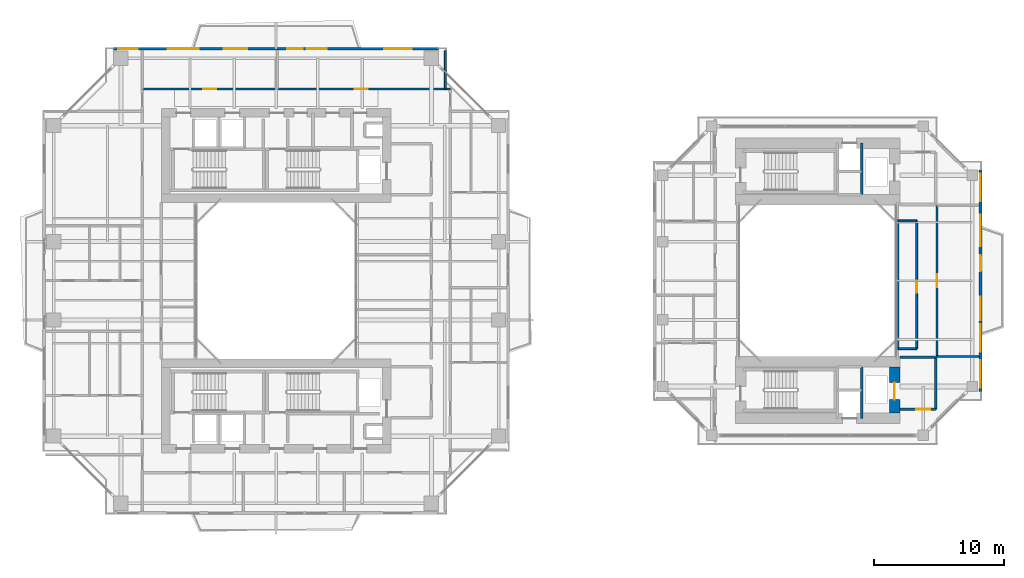
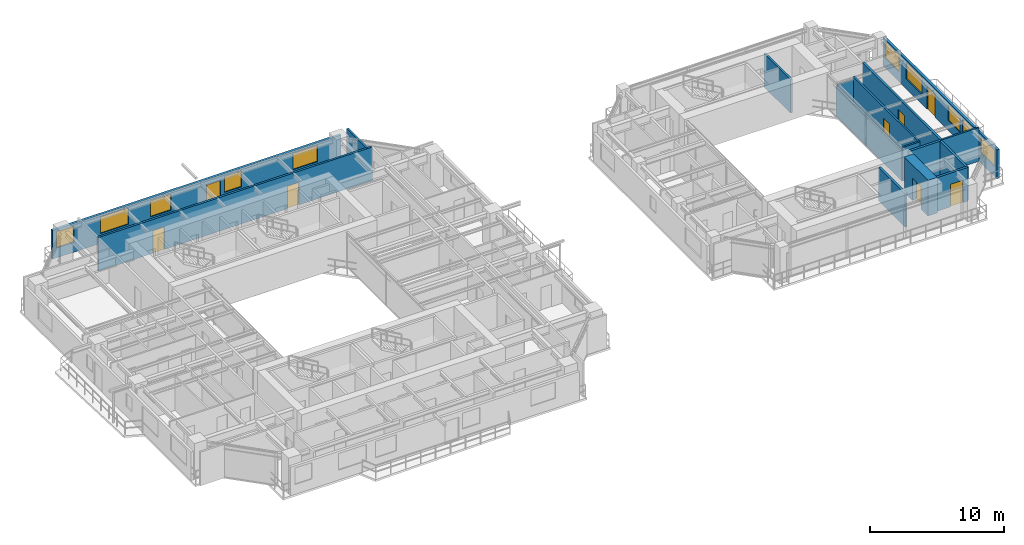
# One storey, part 19 of 24: 16 walls, 10 windows, 8 doors, 18 openings.
"""IFC4 building model written with IfcOpenShell, lengths in metres."""

from ifc_helpers import new_model, si_unit, direction, frame, frame_2d, origin, place, context, subcontext, project, spatial, rectangle, extrude, source, transform, mapped, material, layer, layer_set, type_object, element, fill, save


model = new_model("IFC4")

# Units and contexts
model_context = context("Model", 3, precision=1e-05, world=origin(), true_north=direction((0.0, 1.0)))
body_context = subcontext(model_context, "Body", "Model", "MODEL_VIEW")
ifc_project = project(units=[si_unit("LENGTHUNIT", "METRE"), si_unit("AREAUNIT", "SQUARE_METRE"), si_unit("VOLUMEUNIT", "CUBIC_METRE"), si_unit("PLANEANGLEUNIT", "RADIAN"), si_unit("MASSUNIT", "GRAM", prefix="KILO"), si_unit("THERMODYNAMICTEMPERATUREUNIT", "KELVIN"), si_unit("POWERUNIT", "WATT")], contexts=[model_context])

# Site, building, storey
site_placement = place(None, origin())
site = spatial("IfcSite", under=ifc_project, at=site_placement, CompositionType="ELEMENT")
building_placement = place(site_placement, origin())
building = spatial("IfcBuilding", under=site, at=building_placement, Name="Qiaomeng Ring Towers", CompositionType="ELEMENT")
storey_placement = place(building_placement, frame((0.0, 0.0, 106.75)))
storey = spatial("IfcBuildingStorey", under=building, at=storey_placement, Name="L30", CompositionType="ELEMENT", Elevation=106.75)

# Wall, openings, windows, door
ifc_material_1 = material(Name="Precast concrete C40", Category="concrete")
ifc_layer_1 = layer(ifc_material_1, 0.219970703125, Name="Precast concrete C40")
ifc_layer_set_1 = layer_set([ifc_layer_1], Name="Precast concrete C40")
wall_type_1 = type_object("IfcWallType", Name="ARC-WL-EW2", PredefinedType="STANDARD", material=ifc_layer_set_1)
wall_1_placement = place(storey_placement, frame((6.550048828125, 40.7900390625, 0.0), z_axis=(0.0, 0.0, 1.0), x_axis=(1.0, 0.0, 0.0)))
wall_1 = element("IfcWall", 1, at=wall_1_placement, inside=storey, type_object=wall_type_1, Name="L30 Tower 1 N Exterior Wall", PredefinedType="STANDARD", context=body_context, shape_type="SweptSolid", body=[
    extrude(rectangle(XDim=24.89990234375, YDim=0.219970703125, at=frame_2d((12.449951171875, 0.0))), origin(), (0.0, 0.0, 1.0), 2.610107421875),
])
opening_1_placement = place(wall_1_placement, frame((13.300048828125, 0.0, 0.0)))
opening_1 = element("IfcOpeningElement", 2, at=opening_1_placement, cuts=wall_1, Name="Opening BD1", PredefinedType="OPENING", context=body_context, shape_type="SweptSolid", body=[
    extrude(rectangle(XDim=1.199951171875, YDim=2.10009765625, at=frame_2d((0.60009765625, 1.050048828125))), frame((0.0, 0.119873046875, 0.0), z_axis=(0.0, -1.0, 0.0), x_axis=(1.0, 0.0, 0.0)), (0.0, 0.0, 1.0), 0.239990234375),
])
opening_2_placement = place(wall_1_placement, frame((0.357421875, 0.0, 0.89990234375)))
opening_2 = element("IfcOpeningElement", 3, at=opening_2_placement, cuts=wall_1, Name="Opening WN2", PredefinedType="OPENING", context=body_context, shape_type="SweptSolid", body=[
    extrude(rectangle(XDim=1.5, YDim=1.5, at=frame_2d((0.75, 0.75))), frame((0.0, 0.119873046875, 0.0), z_axis=(0.0, -1.0, 0.0), x_axis=(1.0, 0.0, 0.0)), (0.0, 0.0, 1.0), 0.239990234375),
])
opening_3_placement = place(wall_1_placement, frame((8.43798828125, 0.0, 0.89990234375)))
opening_3 = element("IfcOpeningElement", 4, at=opening_3_placement, cuts=wall_1, Name="Opening WN1", PredefinedType="OPENING", context=body_context, shape_type="SweptSolid", body=[
    extrude(rectangle(XDim=1.800048828125, YDim=1.449951171875, at=frame_2d((0.89990234375, 0.72509765625))), frame((0.0, 0.119873046875, 0.0), z_axis=(0.0, -1.0, 0.0), x_axis=(1.0, 0.0, 0.0)), (0.0, 0.0, 1.0), 0.239990234375),
])
opening_4_placement = place(wall_1_placement, frame((14.81298828125, 0.0, 0.89990234375)))
opening_4 = element("IfcOpeningElement", 5, at=opening_4_placement, cuts=wall_1, Name="Opening WN2", PredefinedType="OPENING", context=body_context, shape_type="SweptSolid", body=[
    extrude(rectangle(XDim=1.5, YDim=1.449951171875, at=frame_2d((0.75, 0.72509765625))), frame((0.0, 0.119873046875, 0.0), z_axis=(0.0, -1.0, 0.0), x_axis=(1.0, 0.0, 0.0)), (0.0, 0.0, 1.0), 0.239990234375),
])
opening_5_placement = place(wall_1_placement, frame((20.738037109375, 0.0, 0.89990234375)))
opening_5 = element("IfcOpeningElement", 6, at=opening_5_placement, cuts=wall_1, Name="Opening WN4", PredefinedType="OPENING", context=body_context, shape_type="SweptSolid", body=[
    extrude(rectangle(XDim=2.10009765625, YDim=1.47998046875, at=frame_2d((1.050048828125, 0.739990234375))), frame((0.0, 0.119873046875, 0.0), z_axis=(0.0, -1.0, 0.0), x_axis=(1.0, 0.0, 0.0)), (0.0, 0.0, 1.0), 0.239990234375),
])
opening_6_placement = place(wall_1_placement, frame((4.136474609375, 0.0, 0.89990234375)))
opening_6 = element("IfcOpeningElement", 7, at=opening_6_placement, cuts=wall_1, Name="Opening WN6", PredefinedType="OPENING", context=body_context, shape_type="SweptSolid", body=[
    extrude(rectangle(XDim=2.39990234375, YDim=1.5, at=frame_2d((1.199951171875, 0.75))), frame((0.0, 0.119873046875, 0.0), z_axis=(0.0, -1.0, 0.0), x_axis=(1.0, 0.0, 0.0)), (0.0, 0.0, 1.0), 0.239990234375),
])
ifc_material_2 = material(Name="Low-E dark-grey laminated double glazing", Category="glass")
window_type_1 = type_object("IfcWindowType", Name="ARC-WN-2", PartitioningType="DOUBLE_PANEL_VERTICAL", PredefinedType="WINDOW", material=ifc_material_2)
shared_shape_1 = source(origin(), body_context, "Body", "SweptSolid", [
    extrude(rectangle(XDim=1.5, YDim=1.449951171875, at=frame_2d((0.75, 0.72509765625))), frame((0.0, 0.030029296875, 0.0), z_axis=(0.0, -1.0, 0.0), x_axis=(1.0, 0.0, 0.0)), (0.0, 0.0, 1.0), 0.06005859375),
])
window_1_placement = place(opening_4_placement, origin())
window_1 = element("IfcWindow", 8, at=window_1_placement, inside=storey, type_object=window_type_1, Name="L30 Exterior Window WN2", OverallHeight=1.449951171875, OverallWidth=1.5, PartitioningType="DOUBLE_PANEL_VERTICAL", PredefinedType="WINDOW", context=body_context, shape_type="MappedRepresentation", body=[
    mapped(shared_shape_1, transform((0.0, 0.0, 0.0), x_axis=(1.0, 0.0, 0.0), y_axis=(0.0, 1.0, 0.0), z_axis=(0.0, 0.0, 1.0), scale=1.0)),
])
fill(opening_4, window_1)
window_type_2 = type_object("IfcWindowType", Name="ARC-WN-4", PartitioningType="TRIPLE_PANEL_VERTICAL", PredefinedType="WINDOW", material=ifc_material_2)
shared_shape_2 = source(origin(), body_context, "Body", "SweptSolid", [
    extrude(rectangle(XDim=2.10009765625, YDim=1.47998046875, at=frame_2d((1.050048828125, 0.739990234375))), frame((0.0, 0.030029296875, 0.0), z_axis=(0.0, -1.0, 0.0), x_axis=(1.0, 0.0, 0.0)), (0.0, 0.0, 1.0), 0.06005859375),
])
window_2_placement = place(opening_5_placement, origin())
window_2 = element("IfcWindow", 9, at=window_2_placement, inside=storey, type_object=window_type_2, Name="L30 Exterior Window WN4", OverallHeight=1.47998046875, OverallWidth=2.10009765625, PartitioningType="TRIPLE_PANEL_VERTICAL", PredefinedType="WINDOW", context=body_context, shape_type="MappedRepresentation", body=[
    mapped(shared_shape_2, transform((0.0, 0.0, 0.0), x_axis=(1.0, 0.0, 0.0), y_axis=(0.0, 1.0, 0.0), z_axis=(0.0, 0.0, 1.0), scale=1.0)),
])
fill(opening_5, window_2)
window_type_3 = type_object("IfcWindowType", Name="ARC-WN-1", PartitioningType="DOUBLE_PANEL_VERTICAL", PredefinedType="WINDOW", material=ifc_material_2)
shared_shape_3 = source(origin(), body_context, "Body", "SweptSolid", [
    extrude(rectangle(XDim=1.800048828125, YDim=1.449951171875, at=frame_2d((0.89990234375, 0.72509765625))), frame((0.0, 0.030029296875, 0.0), z_axis=(0.0, -1.0, 0.0), x_axis=(1.0, 0.0, 0.0)), (0.0, 0.0, 1.0), 0.06005859375),
])
window_3_placement = place(opening_3_placement, origin())
window_3 = element("IfcWindow", 10, at=window_3_placement, inside=storey, type_object=window_type_3, Name="L30 Exterior Window WN1", OverallHeight=1.449951171875, OverallWidth=1.800048828125, PartitioningType="DOUBLE_PANEL_VERTICAL", PredefinedType="WINDOW", context=body_context, shape_type="MappedRepresentation", body=[
    mapped(shared_shape_3, transform((0.0, 0.0, 0.0), x_axis=(1.0, 0.0, 0.0), y_axis=(0.0, 1.0, 0.0), z_axis=(0.0, 0.0, 1.0), scale=1.0)),
])
fill(opening_3, window_3)
door_type_1 = type_object("IfcDoorType", Name="ARC-DR-BD1", OperationType="NOTDEFINED", PredefinedType="DOOR", material=ifc_material_2)
shared_shape_4 = source(origin(), body_context, "Body", "SweptSolid", [
    extrude(rectangle(XDim=1.199951171875, YDim=2.10009765625, at=frame_2d((0.60009765625, 1.050048828125))), frame((0.0, 0.02490234375, 0.0), z_axis=(0.0, -1.0, 0.0), x_axis=(1.0, 0.0, 0.0)), (0.0, 0.0, 1.0), 0.050048828125),
])
door_1_placement = place(opening_1_placement, origin())
door_1 = element("IfcDoor", 11, at=door_1_placement, inside=storey, type_object=door_type_1, Name="L30 N Balcony Glazed Door", OperationType="SINGLE_SWING_LEFT", OverallHeight=2.10009765625, OverallWidth=1.199951171875, PredefinedType="DOOR", context=body_context, shape_type="MappedRepresentation", body=[
    mapped(shared_shape_4, transform((0.0, 0.0, 0.0), x_axis=(1.0, 0.0, 0.0), y_axis=(0.0, 1.0, 0.0), z_axis=(0.0, 0.0, 1.0), scale=1.0)),
])
fill(opening_1, door_1)
shared_shape_5 = source(origin(), body_context, "Body", "SweptSolid", [
    extrude(rectangle(XDim=1.5, YDim=1.5, at=frame_2d((0.75, 0.75))), frame((0.0, 0.030029296875, 0.0), z_axis=(0.0, -1.0, 0.0), x_axis=(1.0, 0.0, 0.0)), (0.0, 0.0, 1.0), 0.06005859375),
])
window_4_placement = place(opening_2_placement, origin())
window_4 = element("IfcWindow", 12, at=window_4_placement, inside=storey, type_object=window_type_1, Name="L30 Exterior Window WN6", OverallHeight=1.5, OverallWidth=1.5, PartitioningType="TRIPLE_PANEL_VERTICAL", PredefinedType="WINDOW", context=body_context, shape_type="MappedRepresentation", body=[
    mapped(shared_shape_5, transform((0.0, 0.0, 0.0), x_axis=(1.0, 0.0, 0.0), y_axis=(0.0, 1.0, 0.0), z_axis=(0.0, 0.0, 1.0), scale=1.0)),
])
fill(opening_2, window_4)
window_type_4 = type_object("IfcWindowType", Name="ARC-WN-6", PartitioningType="TRIPLE_PANEL_VERTICAL", PredefinedType="WINDOW", material=ifc_material_2)
shared_shape_6 = source(origin(), body_context, "Body", "SweptSolid", [
    extrude(rectangle(XDim=2.39990234375, YDim=1.5, at=frame_2d((1.199951171875, 0.75))), frame((0.0, 0.030029296875, 0.0), z_axis=(0.0, -1.0, 0.0), x_axis=(1.0, 0.0, 0.0)), (0.0, 0.0, 1.0), 0.06005859375),
])
window_5_placement = place(opening_6_placement, origin())
window_5 = element("IfcWindow", 13, at=window_5_placement, inside=storey, type_object=window_type_4, Name="L30 Exterior Window WN6", OverallHeight=1.5, OverallWidth=2.39990234375, PartitioningType="TRIPLE_PANEL_VERTICAL", PredefinedType="WINDOW", context=body_context, shape_type="MappedRepresentation", body=[
    mapped(shared_shape_6, transform((0.0, 0.0, 0.0), x_axis=(1.0, 0.0, 0.0), y_axis=(0.0, 1.0, 0.0), z_axis=(0.0, 0.0, 1.0), scale=1.0)),
])
fill(opening_6, window_5)

wall_2_placement = place(storey_placement, frame((72.989990234375, 14.5, 0.0), z_axis=(0.0, 0.0, 1.0), x_axis=(0.0, 1.0, 0.0)))
wall_2 = element("IfcWall", 14, at=wall_2_placement, inside=storey, type_object=wall_type_1, Name="L30 Companion East Wall", PredefinedType="STANDARD", context=body_context, shape_type="SweptSolid", body=[
    extrude(rectangle(XDim=17.0, YDim=0.219970703125, at=frame_2d((8.5, 0.0))), origin(), (0.0, 0.0, 1.0), 2.610107421875),
])
opening_7_placement = place(wall_2_placement, frame((9.25, 0.0, 0.0)))
opening_7 = element("IfcOpeningElement", 15, at=opening_7_placement, cuts=wall_2, Name="Opening BD1", PredefinedType="OPENING", context=body_context, shape_type="SweptSolid", body=[
    extrude(rectangle(XDim=1.199951171875, YDim=2.10009765625, at=frame_2d((0.60009765625, 1.050048828125))), frame((0.0, 0.119873046875, 0.0), z_axis=(0.0, -1.0, 0.0), x_axis=(1.0, 0.0, 0.0)), (0.0, 0.0, 1.0), 0.239990234375),
])
opening_8_placement = place(wall_2_placement, frame((0.3076171875, 0.0, 0.89990234375)))
opening_8 = element("IfcOpeningElement", 16, at=opening_8_placement, cuts=wall_2, Name="Opening WN4", PredefinedType="OPENING", context=body_context, shape_type="SweptSolid", body=[
    extrude(rectangle(XDim=2.10009765625, YDim=1.5, at=frame_2d((1.050048828125, 0.75))), frame((0.0, 0.119873046875, 0.0), z_axis=(0.0, -1.0, 0.0), x_axis=(1.0, 0.0, 0.0)), (0.0, 0.0, 1.0), 0.239990234375),
])
opening_9_placement = place(wall_2_placement, frame((5.47509765625, 0.0, 0.89990234375)))
opening_9 = element("IfcOpeningElement", 17, at=opening_9_placement, cuts=wall_2, Name="Opening WN1", PredefinedType="OPENING", context=body_context, shape_type="SweptSolid", body=[
    extrude(rectangle(XDim=1.800048828125, YDim=1.449951171875, at=frame_2d((0.89990234375, 0.72509765625))), frame((0.0, 0.119873046875, 0.0), z_axis=(0.0, -1.0, 0.0), x_axis=(1.0, 0.0, 0.0)), (0.0, 0.0, 1.0), 0.239990234375),
])
opening_10_placement = place(wall_2_placement, frame((14.592529296875, 0.0, 0.89990234375)))
opening_10 = element("IfcOpeningElement", 18, at=opening_10_placement, cuts=wall_2, Name="Opening WN4", PredefinedType="OPENING", context=body_context, shape_type="SweptSolid", body=[
    extrude(rectangle(XDim=2.10009765625, YDim=1.5, at=frame_2d((1.050048828125, 0.75))), frame((0.0, 0.119873046875, 0.0), z_axis=(0.0, -1.0, 0.0), x_axis=(1.0, 0.0, 0.0)), (0.0, 0.0, 1.0), 0.239990234375),
])
opening_11_placement = place(wall_2_placement, frame((3.054931640625, 0.0, 0.89990234375)))
opening_11 = element("IfcOpeningElement", 19, at=opening_11_placement, cuts=wall_2, Name="Opening WN4", PredefinedType="OPENING", context=body_context, shape_type="SweptSolid", body=[
    extrude(rectangle(XDim=2.10009765625, YDim=1.5, at=frame_2d((1.050048828125, 0.75))), frame((0.0, 0.119873046875, 0.0), z_axis=(0.0, -1.0, 0.0), x_axis=(1.0, 0.0, 0.0)), (0.0, 0.0, 1.0), 0.239990234375),
])
opening_12_placement = place(wall_2_placement, frame((11.16748046875, 0.0, 0.89990234375)))
opening_12 = element("IfcOpeningElement", 20, at=opening_12_placement, cuts=wall_2, Name="Opening WN6", PredefinedType="OPENING", context=body_context, shape_type="SweptSolid", body=[
    extrude(rectangle(XDim=2.39990234375, YDim=1.5, at=frame_2d((1.199951171875, 0.75))), frame((0.0, 0.119873046875, 0.0), z_axis=(0.0, -1.0, 0.0), x_axis=(1.0, 0.0, 0.0)), (0.0, 0.0, 1.0), 0.239990234375),
])
shared_shape_7 = source(origin(), body_context, "Body", "SweptSolid", [
    extrude(rectangle(XDim=2.10009765625, YDim=1.5, at=frame_2d((1.050048828125, 0.75))), frame((0.0, 0.030029296875, 0.0), z_axis=(0.0, -1.0, 0.0), x_axis=(1.0, 0.0, 0.0)), (0.0, 0.0, 1.0), 0.06005859375),
])
window_6_placement = place(opening_8_placement, origin())
window_6 = element("IfcWindow", 21, at=window_6_placement, inside=storey, type_object=window_type_2, Name="L30 Exterior Window WN6", OverallHeight=1.5, OverallWidth=2.10009765625, PartitioningType="TRIPLE_PANEL_VERTICAL", PredefinedType="WINDOW", context=body_context, shape_type="MappedRepresentation", body=[
    mapped(shared_shape_7, transform((0.0, 0.0, 0.0), x_axis=(1.0, 0.0, 0.0), y_axis=(0.0, 1.0, 0.0), z_axis=(0.0, 0.0, 1.0), scale=1.0)),
])
fill(opening_8, window_6)
window_7_placement = place(opening_10_placement, origin())
window_7 = element("IfcWindow", 22, at=window_7_placement, inside=storey, type_object=window_type_2, Name="L30 Exterior Window WN4", OverallHeight=1.5, OverallWidth=2.10009765625, PartitioningType="TRIPLE_PANEL_VERTICAL", PredefinedType="WINDOW", context=body_context, shape_type="MappedRepresentation", body=[
    mapped(shared_shape_7, transform((0.0, 0.0, 0.0), x_axis=(1.0, 0.0, 0.0), y_axis=(0.0, 1.0, 0.0), z_axis=(0.0, 0.0, 1.0), scale=1.0)),
])
fill(opening_10, window_7)
window_8_placement = place(opening_11_placement, origin())
window_8 = element("IfcWindow", 23, at=window_8_placement, inside=storey, type_object=window_type_2, Name="L30 Exterior Window WN4", OverallHeight=1.5, OverallWidth=2.10009765625, PartitioningType="TRIPLE_PANEL_VERTICAL", PredefinedType="WINDOW", context=body_context, shape_type="MappedRepresentation", body=[
    mapped(shared_shape_7, transform((0.0, 0.0, 0.0), x_axis=(1.0, 0.0, 0.0), y_axis=(0.0, 1.0, 0.0), z_axis=(0.0, 0.0, 1.0), scale=1.0)),
])
fill(opening_11, window_8)
window_9_placement = place(opening_9_placement, origin())
window_9 = element("IfcWindow", 24, at=window_9_placement, inside=storey, type_object=window_type_3, Name="L30 Exterior Window WN1", OverallHeight=1.449951171875, OverallWidth=1.800048828125, PartitioningType="DOUBLE_PANEL_VERTICAL", PredefinedType="WINDOW", context=body_context, shape_type="MappedRepresentation", body=[
    mapped(shared_shape_3, transform((0.0, 0.0, 0.0), x_axis=(1.0, 0.0, 0.0), y_axis=(0.0, 1.0, 0.0), z_axis=(0.0, 0.0, 1.0), scale=1.0)),
])
fill(opening_9, window_9)
door_2_placement = place(opening_7_placement, origin())
door_2 = element("IfcDoor", 25, at=door_2_placement, inside=storey, type_object=door_type_1, Name="L30 Companion East Balcony Door", OperationType="SINGLE_SWING_LEFT", OverallHeight=2.10009765625, OverallWidth=1.199951171875, PredefinedType="DOOR", context=body_context, shape_type="MappedRepresentation", body=[
    mapped(shared_shape_4, transform((0.0, 0.0, 0.0), x_axis=(1.0, 0.0, 0.0), y_axis=(0.0, 1.0, 0.0), z_axis=(0.0, 0.0, 1.0), scale=1.0)),
])
fill(opening_7, door_2)
window_10_placement = place(opening_12_placement, origin())
window_10 = element("IfcWindow", 26, at=window_10_placement, inside=storey, type_object=window_type_4, Name="L30 Exterior Window WN6", OverallHeight=1.5, OverallWidth=2.39990234375, PartitioningType="TRIPLE_PANEL_VERTICAL", PredefinedType="WINDOW", context=body_context, shape_type="MappedRepresentation", body=[
    mapped(shared_shape_6, transform((0.0, 0.0, 0.0), x_axis=(1.0, 0.0, 0.0), y_axis=(0.0, 1.0, 0.0), z_axis=(0.0, 0.0, 1.0), scale=1.0)),
])
fill(opening_12, window_10)

# Walls
ifc_material_3 = material(Name="Autoclaved aerated concrete block", Category="concrete")
ifc_layer_2 = layer(ifc_material_3, 0.199951171875, Name="Autoclaved aerated concrete block")
ifc_layer_set_2 = layer_set([ifc_layer_2], Name="Autoclaved aerated concrete block")
wall_type_2 = type_object("IfcWallType", Name="ARC-WL-PW1", PredefinedType="PARTITIONING", material=ifc_layer_set_2)
wall_3_placement = place(storey_placement, frame((66.800048828125, 17.14990234375, 0.0), z_axis=(0.0, 0.0, 1.0), x_axis=(1.0, 0.0, 0.0)))
element("IfcWall", 27, at=wall_3_placement, inside=storey, type_object=wall_type_2, Name="L30 Interior Wall PW1", PredefinedType="PARTITIONING", context=body_context, shape_type="SweptSolid", body=[
    extrude(rectangle(XDim=2.75, YDim=0.199951171875, at=frame_2d((1.375, 0.0))), origin(), (0.0, 0.0, 1.0), 3.070068359375),
])
wall_4_placement = place(storey_placement, frame((69.550048828125, 13.14990234375, 0.0), z_axis=(0.0, 0.0, 1.0), x_axis=(0.0, 1.0, 0.0)))
element("IfcWall", 28, at=wall_4_placement, inside=storey, type_object=wall_type_2, Name="L30 Interior Wall PW1", PredefinedType="PARTITIONING", context=body_context, shape_type="SweptSolid", body=[
    extrude(rectangle(XDim=4.0, YDim=0.199951171875, at=frame_2d((2.0, 0.0))), origin(), (0.0, 0.0, 1.0), 3.070068359375),
])

# Wall, opening, door
wall_5_placement = place(storey_placement, frame((66.800048828125, 13.14990234375, 0.0), z_axis=(0.0, 0.0, 1.0), x_axis=(1.0, 0.0, 0.0)))
wall_5 = element("IfcWall", 29, at=wall_5_placement, inside=storey, type_object=wall_type_2, Name="L30 Interior Wall PW1", PredefinedType="PARTITIONING", context=body_context, shape_type="SweptSolid", body=[
    extrude(rectangle(XDim=2.75, YDim=0.199951171875, at=frame_2d((1.375, 0.0))), origin(), (0.0, 0.0, 1.0), 3.070068359375),
])
opening_13_placement = place(wall_5_placement, frame((1.25, 0.0, 0.0)))
opening_13 = element("IfcOpeningElement", 30, at=opening_13_placement, cuts=wall_5, Name="Opening FD3", PredefinedType="OPENING", context=body_context, shape_type="SweptSolid", body=[
    extrude(rectangle(XDim=1.10009765625, YDim=2.050048828125, at=frame_2d((0.550048828125, 1.02490234375))), frame((0.0, 0.10986328125, 0.0), z_axis=(0.0, -1.0, 0.0), x_axis=(1.0, 0.0, 0.0)), (0.0, 0.0, 1.0), 0.219970703125),
])
ifc_material_4 = material(Name="Galvanised steel", Category="steel")
door_type_2 = type_object("IfcDoorType", Name="ARC-DR-FD3", OperationType="NOTDEFINED", PredefinedType="DOOR", material=ifc_material_4)
shared_shape_8 = source(origin(), body_context, "Body", "SweptSolid", [
    extrude(rectangle(XDim=1.10009765625, YDim=2.050048828125, at=frame_2d((0.550048828125, 1.02490234375))), frame((0.0, 0.02490234375, 0.0), z_axis=(0.0, -1.0, 0.0), x_axis=(1.0, 0.0, 0.0)), (0.0, 0.0, 1.0), 0.050048828125),
])
door_3_placement = place(opening_13_placement, origin())
door_3 = element("IfcDoor", 31, at=door_3_placement, inside=storey, type_object=door_type_2, Name="L30 Door FD3", OperationType="SINGLE_SWING_LEFT", OverallHeight=2.050048828125, OverallWidth=1.10009765625, PredefinedType="DOOR", context=body_context, shape_type="MappedRepresentation", body=[
    mapped(shared_shape_8, transform((0.0, 0.0, 0.0), x_axis=(1.0, 0.0, 0.0), y_axis=(0.0, 1.0, 0.0), z_axis=(0.0, 0.0, 1.0), scale=1.0)),
])
fill(opening_13, door_3)

# Wall, openings, doors
ifc_layer_3 = layer(ifc_material_3, 0.179931640625, Name="Autoclaved aerated concrete block")
ifc_layer_set_3 = layer_set([ifc_layer_3], Name="Autoclaved aerated concrete block")
wall_type_3 = type_object("IfcWallType", Name="ARC-WL-PW2", PredefinedType="PARTITIONING", material=ifc_layer_set_3)
wall_6_placement = place(storey_placement, frame((8.75, 37.699951171875, 0.0), z_axis=(0.0, 0.0, 1.0), x_axis=(1.0, 0.0, 0.0)))
wall_6 = element("IfcWall", 32, at=wall_6_placement, inside=storey, type_object=wall_type_3, Name="L30 Interior Wall PW2", PredefinedType="PARTITIONING", context=body_context, shape_type="SweptSolid", body=[
    extrude(rectangle(XDim=23.610107421875, YDim=0.179931640625, at=frame_2d((11.80517578125, 0.0))), origin(), (0.0, 0.0, 1.0), 3.070068359375),
])
opening_14_placement = place(wall_6_placement, frame((4.675048828125, 0.0, 0.0)))
opening_14 = element("IfcOpeningElement", 33, at=opening_14_placement, cuts=wall_6, Name="Opening FD4", PredefinedType="OPENING", context=body_context, shape_type="SweptSolid", body=[
    extrude(rectangle(XDim=1.0, YDim=2.050048828125, at=frame_2d((0.5, 1.02490234375))), frame((0.0, 0.099853515625, 0.0), z_axis=(0.0, -1.0, 0.0), x_axis=(1.0, 0.0, 0.0)), (0.0, 0.0, 1.0), 0.199951171875),
])
opening_15_placement = place(wall_6_placement, frame((16.2900390625, 0.0, 0.0)))
opening_15 = element("IfcOpeningElement", 34, at=opening_15_placement, cuts=wall_6, Name="Opening FD4", PredefinedType="OPENING", context=body_context, shape_type="SweptSolid", body=[
    extrude(rectangle(XDim=1.0, YDim=2.050048828125, at=frame_2d((0.5, 1.02490234375))), frame((0.0, 0.099853515625, 0.0), z_axis=(0.0, -1.0, 0.0), x_axis=(1.0, 0.0, 0.0)), (0.0, 0.0, 1.0), 0.199951171875),
])
ifc_material_5 = material(Name="Engineered fire-rated oak timber", Category="wood")
door_type_3 = type_object("IfcDoorType", Name="ARC-DR-FD4", OperationType="NOTDEFINED", PredefinedType="DOOR", material=ifc_material_5)
shared_shape_9 = source(origin(), body_context, "Body", "SweptSolid", [
    extrude(rectangle(XDim=1.0, YDim=2.050048828125, at=frame_2d((0.5, 1.02490234375))), frame((0.0, 0.02490234375, 0.0), z_axis=(0.0, -1.0, 0.0), x_axis=(1.0, 0.0, 0.0)), (0.0, 0.0, 1.0), 0.050048828125),
])
door_4_placement = place(opening_14_placement, origin())
door_4 = element("IfcDoor", 35, at=door_4_placement, inside=storey, type_object=door_type_3, Name="L30 Door FD4", OperationType="SINGLE_SWING_RIGHT", OverallHeight=2.050048828125, OverallWidth=1.0, PredefinedType="DOOR", context=body_context, shape_type="MappedRepresentation", body=[
    mapped(shared_shape_9, transform((0.0, 0.0, 0.0), x_axis=(1.0, 0.0, 0.0), y_axis=(0.0, 1.0, 0.0), z_axis=(0.0, 0.0, 1.0), scale=1.0)),
])
fill(opening_14, door_4)
door_5_placement = place(opening_15_placement, origin())
door_5 = element("IfcDoor", 36, at=door_5_placement, inside=storey, type_object=door_type_3, Name="L30 Door FD4", OperationType="SINGLE_SWING_LEFT", OverallHeight=2.050048828125, OverallWidth=1.0, PredefinedType="DOOR", context=body_context, shape_type="MappedRepresentation", body=[
    mapped(shared_shape_9, transform((0.0, 0.0, 0.0), x_axis=(1.0, 0.0, 0.0), y_axis=(0.0, 1.0, 0.0), z_axis=(0.0, 0.0, 1.0), scale=1.0)),
])
fill(opening_15, door_5)

# Wall, opening, door
wall_7_placement = place(storey_placement, frame((69.64990234375, 17.199951171875, 0.0), z_axis=(0.0, 0.0, 1.0), x_axis=(0.0, 1.0, 0.0)))
wall_7 = element("IfcWall", 37, at=wall_7_placement, inside=storey, type_object=wall_type_3, Name="L30 Interior Wall PW2", PredefinedType="PARTITIONING", context=body_context, shape_type="SweptSolid", body=[
    extrude(rectangle(XDim=11.60009765625, YDim=0.179931640625, at=frame_2d((5.800048828125, 0.0))), origin(), (0.0, 0.0, 1.0), 3.070068359375),
])
opening_16_placement = place(wall_7_placement, frame((5.300048828125, 0.0, 0.0)))
opening_16 = element("IfcOpeningElement", 38, at=opening_16_placement, cuts=wall_7, Name="Opening FD4", PredefinedType="OPENING", context=body_context, shape_type="SweptSolid", body=[
    extrude(rectangle(XDim=1.0, YDim=2.050048828125, at=frame_2d((0.5, 1.02490234375))), frame((0.0, 0.099853515625, 0.0), z_axis=(0.0, -1.0, 0.0), x_axis=(1.0, 0.0, 0.0)), (0.0, 0.0, 1.0), 0.199951171875),
])
door_6_placement = place(opening_16_placement, origin())
door_6 = element("IfcDoor", 39, at=door_6_placement, inside=storey, type_object=door_type_3, Name="L30 Door FD4", OperationType="SINGLE_SWING_LEFT", OverallHeight=2.050048828125, OverallWidth=1.0, PredefinedType="DOOR", context=body_context, shape_type="MappedRepresentation", body=[
    mapped(shared_shape_9, transform((0.0, 0.0, 0.0), x_axis=(1.0, 0.0, 0.0), y_axis=(0.0, 1.0, 0.0), z_axis=(0.0, 0.0, 1.0), scale=1.0)),
])
fill(opening_16, door_6)

# Walls
ifc_material_6 = material(Name="Gypsum fireboard steel-stud partition", Category="steel")
ifc_layer_4 = layer(ifc_material_6, 0.14990234375, Name="Gypsum fireboard steel-stud partition")
ifc_layer_set_4 = layer_set([ifc_layer_4], Name="Gypsum fireboard steel-stud partition")
wall_type_4 = type_object("IfcWallType", Name="ARC-WL-PW3", PredefinedType="PARTITIONING", material=ifc_layer_set_4)
wall_8_placement = place(storey_placement, frame((31.97998046875, 37.699951171875, 0.0), z_axis=(0.0, 0.0, 1.0), x_axis=(0.0, 1.0, 0.0)))
element("IfcWall", 40, at=wall_8_placement, inside=storey, type_object=wall_type_4, Name="L30 Interior Wall PW3", PredefinedType="PARTITIONING", context=body_context, shape_type="SweptSolid", body=[
    extrude(rectangle(XDim=2.949951171875, YDim=0.14990234375, at=frame_2d((1.47509765625, 0.0))), origin(), (0.0, 0.0, 1.0), 3.070068359375),
])
wall_9_placement = place(storey_placement, frame((69.64990234375, 17.199951171875, 0.0), z_axis=(0.0, 0.0, 1.0), x_axis=(1.0, 0.0, 0.0)))
element("IfcWall", 41, at=wall_9_placement, inside=storey, type_object=wall_type_4, Name="L30 Interior Wall PW3", PredefinedType="PARTITIONING", context=body_context, shape_type="SweptSolid", body=[
    extrude(rectangle(XDim=3.2001953125, YDim=0.14990234375, at=frame_2d((1.60009765625, 0.0))), origin(), (0.0, 0.0, 1.0), 3.070068359375),
])

# Wall, opening, door
wall_10_placement = place(storey_placement, frame((68.10009765625, 17.800048828125, 0.0), z_axis=(0.0, 0.0, 1.0), x_axis=(0.0, 1.0, 0.0)))
wall_10 = element("IfcWall", 42, at=wall_10_placement, inside=storey, type_object=wall_type_4, Name="L30 Interior Wall PW3", PredefinedType="PARTITIONING", context=body_context, shape_type="SweptSolid", body=[
    extrude(rectangle(XDim=9.800048828125, YDim=0.14990234375, at=frame_2d((4.89990234375, 0.0))), origin(), (0.0, 0.0, 1.0), 3.070068359375),
])
opening_17_placement = place(wall_10_placement, frame((4.300048828125, 0.0, 0.0)))
opening_17 = element("IfcOpeningElement", 43, at=opening_17_placement, cuts=wall_10, Name="Opening ID1", PredefinedType="OPENING", context=body_context, shape_type="SweptSolid", body=[
    extrude(rectangle(XDim=0.89990234375, YDim=2.050048828125, at=frame_2d((0.449951171875, 1.02490234375))), frame((0.0, 0.0849609375, 0.0), z_axis=(0.0, -1.0, 0.0), x_axis=(1.0, 0.0, 0.0)), (0.0, 0.0, 1.0), 0.169921875),
])
ifc_material_7 = material(Name="Engineered oak timber", Category="wood")
door_type_4 = type_object("IfcDoorType", Name="ARC-DR-ID1", OperationType="NOTDEFINED", PredefinedType="DOOR", material=ifc_material_7)
shared_shape_10 = source(origin(), body_context, "Body", "SweptSolid", [
    extrude(rectangle(XDim=0.89990234375, YDim=2.050048828125, at=frame_2d((0.449951171875, 1.02490234375))), frame((0.0, 0.02490234375, 0.0), z_axis=(0.0, -1.0, 0.0), x_axis=(1.0, 0.0, 0.0)), (0.0, 0.0, 1.0), 0.050048828125),
])
door_7_placement = place(opening_17_placement, origin())
door_7 = element("IfcDoor", 44, at=door_7_placement, inside=storey, type_object=door_type_4, Name="L30 Door ID1", OperationType="SINGLE_SWING_RIGHT", OverallHeight=2.050048828125, OverallWidth=0.89990234375, PredefinedType="DOOR", context=body_context, shape_type="MappedRepresentation", body=[
    mapped(shared_shape_10, transform((0.0, 0.0, 0.0), x_axis=(1.0, 0.0, 0.0), y_axis=(0.0, 1.0, 0.0), z_axis=(0.0, 0.0, 1.0), scale=1.0)),
])
fill(opening_17, door_7)

# Walls
wall_11_placement = place(storey_placement, frame((66.64990234375, 27.60009765625, 0.0), z_axis=(0.0, 0.0, 1.0), x_axis=(1.0, 0.0, 0.0)))
element("IfcWall", 45, at=wall_11_placement, inside=storey, type_object=wall_type_4, Name="L30 Interior Wall PW3", PredefinedType="PARTITIONING", context=body_context, shape_type="SweptSolid", body=[
    extrude(rectangle(XDim=1.4501953125, YDim=0.14990234375, at=frame_2d((0.72509765625, 0.0))), origin(), (0.0, 0.0, 1.0), 2.81494140625),
])
wall_12_placement = place(storey_placement, frame((66.64990234375, 17.800048828125, 0.0), z_axis=(0.0, 0.0, 1.0), x_axis=(1.0, 0.0, 0.0)))
element("IfcWall", 46, at=wall_12_placement, inside=storey, type_object=wall_type_4, Name="L30 Interior Wall PW3", PredefinedType="PARTITIONING", context=body_context, shape_type="SweptSolid", body=[
    extrude(rectangle(XDim=1.4501953125, YDim=0.14990234375, at=frame_2d((0.72509765625, 0.0))), origin(), (0.0, 0.0, 1.0), 3.070068359375),
])
wall_13_placement = place(storey_placement, frame((66.64990234375, 17.800048828125, 0.0), z_axis=(0.0, 0.0, 1.0), x_axis=(0.0, 1.0, 0.0)))
element("IfcWall", 47, at=wall_13_placement, inside=storey, type_object=wall_type_4, Name="L30 Interior Wall PW3", PredefinedType="PARTITIONING", context=body_context, shape_type="SweptSolid", body=[
    extrude(rectangle(XDim=9.800048828125, YDim=0.14990234375, at=frame_2d((4.89990234375, 0.0))), origin(), (0.0, 0.0, 1.0), 2.6650390625),
])
ifc_material_8 = material(Name="Concrete C40", Category="concrete")
ifc_layer_5 = layer(ifc_material_8, 0.199951171875, Name="Concrete C40")
ifc_layer_set_5 = layer_set([ifc_layer_5], Name="Concrete C40")
wall_type_5 = type_object("IfcWallType", Name="STR-WL-STSHAFT", PredefinedType="SHEAR", material=ifc_layer_set_5)
for number, where, z_axis, x_axis, name in (
    (48, (63.8798828125, 29.60009765625, 0.0), (0.0, 0.0, 1.0), (0.0, 1.0, 0.0), "L30 Companion Lift Shaft East Wall N"),
    (49, (63.8798828125, 12.449951171875, 0.0), (0.0, 0.0, 1.0), (0.0, 1.0, 0.0), "L30 Companion Lift Shaft East Wall S"),
):
    element("IfcWall", number, at=place(storey_placement, frame(where, z_axis=z_axis, x_axis=x_axis)), inside=storey, type_object=wall_type_5, Name=name, PredefinedType="SHEAR", context=body_context, shape_type="SweptSolid", body=[
        extrude(rectangle(XDim=3.949951171875, YDim=0.179931640625, at=frame_2d((1.97509765625, 0.0))), origin(), (0.0, 0.0, 1.0), 3.070068359375),
    ])

# Wall, opening, door
ifc_material_9 = material(Name="Concrete C60", Category="concrete")
ifc_layer_6 = layer(ifc_material_9, 0.800048828125, Name="Concrete C60")
ifc_layer_set_6 = layer_set([ifc_layer_6], Name="Concrete C60")
wall_type_6 = type_object("IfcWallType", Name="STR-WL-SW1", PredefinedType="SHEAR", material=ifc_layer_set_6)
wall_14_placement = place(storey_placement, frame((66.39990234375, 12.85009765625, 0.0), z_axis=(0.0, 0.0, 1.0), x_axis=(0.0, 1.0, 0.0)))
wall_14 = element("IfcWall", 50, at=wall_14_placement, inside=storey, type_object=wall_type_6, Name="L30 T2SC east core shear wall", PredefinedType="SHEAR", context=body_context, shape_type="SweptSolid", body=[
    extrude(rectangle(XDim=3.5498046875, YDim=0.800048828125, at=frame_2d((1.77490234375, 0.0))), origin(), (0.0, 0.0, 1.0), 3.25),
])
opening_18_placement = place(wall_14_placement, frame((1.050048828125, 0.0, 0.0)))
opening_18 = element("IfcOpeningElement", 51, at=opening_18_placement, cuts=wall_14, Name="Opening LD2", PredefinedType="OPENING", context=body_context, shape_type="SweptSolid", body=[
    extrude(rectangle(XDim=1.300048828125, YDim=2.050048828125, at=frame_2d((0.64990234375, 1.02490234375))), frame((0.0, 0.409912109375, 0.0), z_axis=(0.0, -1.0, 0.0), x_axis=(1.0, 0.0, 0.0)), (0.0, 0.0, 1.0), 0.820068359375),
])
ifc_material_10 = material(Name="Stainless steel 316", Category="steel")
door_type_5 = type_object("IfcDoorType", Name="ARC-DR-LD2", OperationType="NOTDEFINED", PredefinedType="DOOR", material=ifc_material_10)
shared_shape_11 = source(origin(), body_context, "Body", "SweptSolid", [
    extrude(rectangle(XDim=1.300048828125, YDim=2.050048828125, at=frame_2d((0.64990234375, 1.02490234375))), frame((0.0, 0.02490234375, 0.0), z_axis=(0.0, -1.0, 0.0), x_axis=(1.0, 0.0, 0.0)), (0.0, 0.0, 1.0), 0.050048828125),
])
door_8_placement = place(opening_18_placement, origin())
door_8 = element("IfcDoor", 52, at=door_8_placement, inside=storey, type_object=door_type_5, Name="L30 Firefighting Lift FL4 Landing Door", OperationType="SLIDING_TO_RIGHT", OverallHeight=2.050048828125, OverallWidth=1.300048828125, PredefinedType="DOOR", context=body_context, shape_type="MappedRepresentation", body=[
    mapped(shared_shape_11, transform((0.0, 0.0, 0.0), x_axis=(1.0, 0.0, 0.0), y_axis=(0.0, 1.0, 0.0), z_axis=(0.0, 0.0, 1.0), scale=1.0)),
])
fill(opening_18, door_8)

save(model, "model.ifc")
